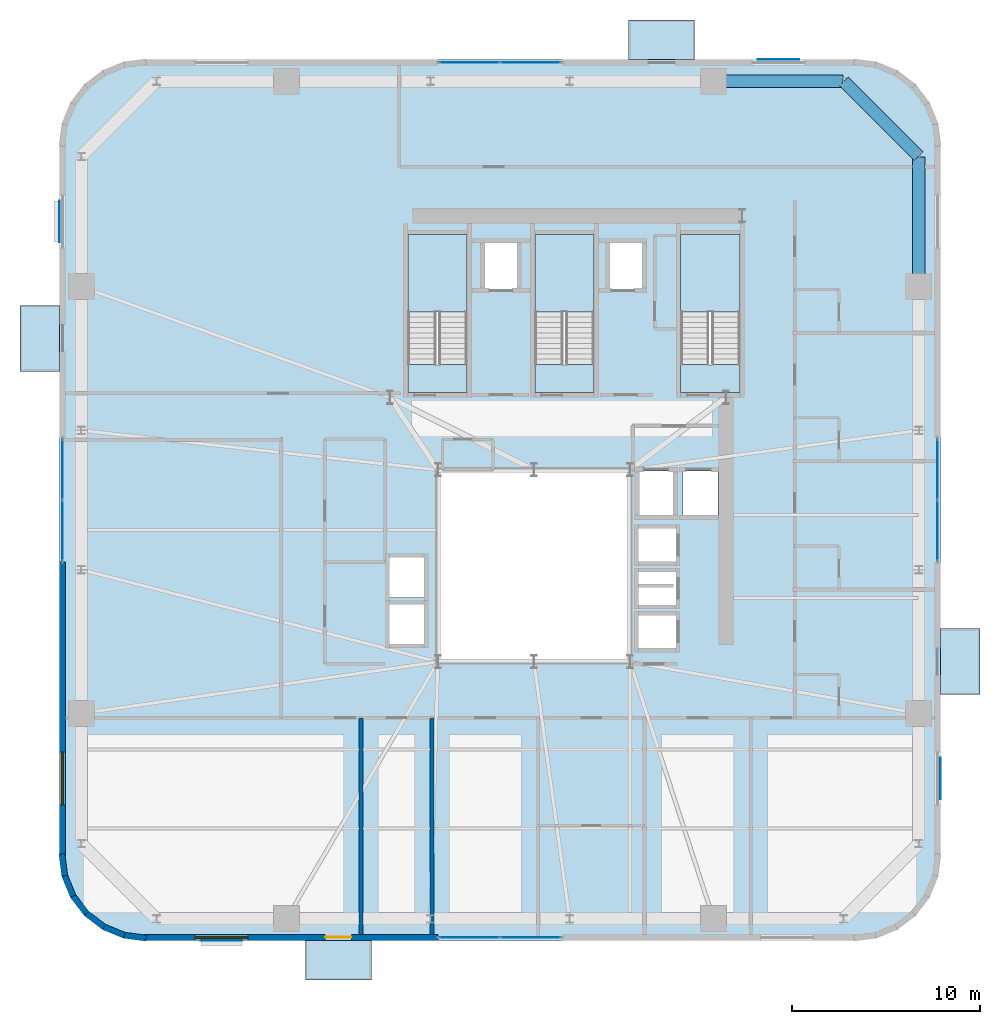
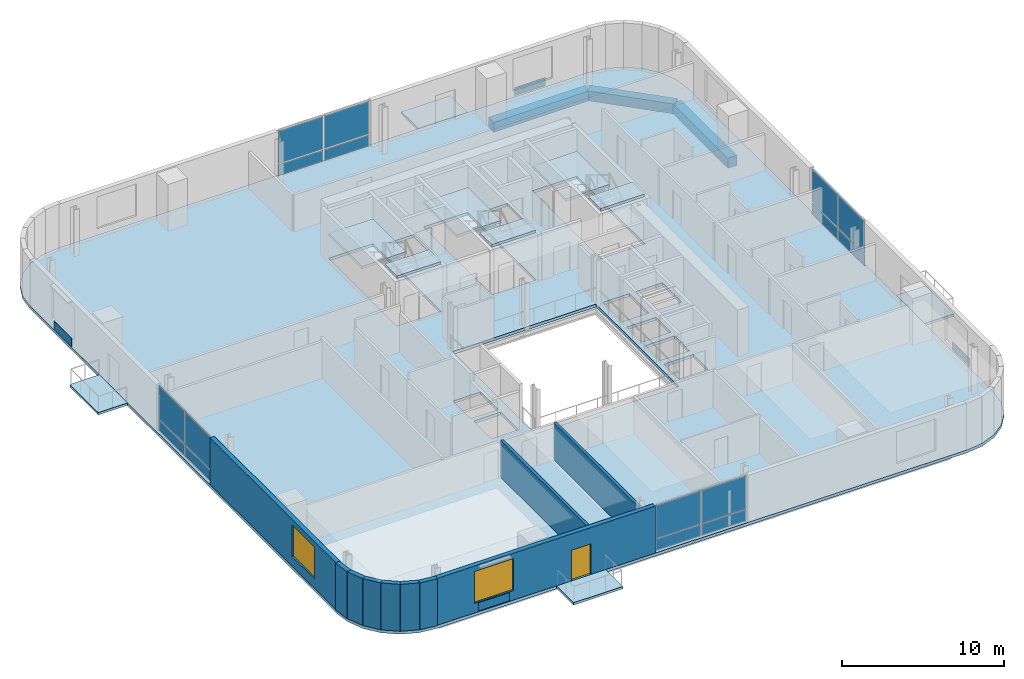
# One storey, part 7 of 16: 20 plates, 11 slabs, 10 walls, 3 beams, 2 windows, 1 door, 3 openings, 7 elements without a shape of their own.
"""IFC4 building model written with IfcOpenShell, lengths in metres."""

import ifcopenshell
import ifcopenshell.guid

model = None  # the IFC model being written
_history = None  # IfcOwnerHistory: only IFC2X3 demands one
_inside = {}  # id of a spatial element -> (the spatial element, [elements in it])
_under = {}  # id of a project, library or spatial element -> (it, [spatial elements below it])
_declared = {}  # id of a project -> (the project, [libraries it declares])
_typed = {}  # id of a type object -> (the type object, [elements of that type])
_made_of = {}  # id of a material, layer set ... -> (it, [elements and type objects made of it])


def new_model(schema):
    """Start an empty IFC model of exactly this schema.

    Asked for "IFC4X3", IfcOpenShell would pick the latest addendum, in which some entities
    have other attributes; the version numbers below select the first issue.
    IFC2X3 requires an IfcOwnerHistory on every rooted entity: one is made here for all.
    """
    global model, _history
    if schema == "IFC4X3":
        model = ifcopenshell.file(schema_version=(4, 3, 0, 0))
    else:
        model = ifcopenshell.file(schema=schema)
    _inside.clear()
    _under.clear()
    _declared.clear()
    _typed.clear()
    _made_of.clear()
    _history = None
    if model.schema == "IFC2X3":
        org = make("IfcOrganization", Name="unknown")
        user = make(
            "IfcPersonAndOrganization",
            ThePerson=make("IfcPerson", FamilyName="unknown"),
            TheOrganization=org,
        )
        app = make(
            "IfcApplication",
            ApplicationDeveloper=org,
            Version="unknown",
            ApplicationFullName="unknown",
            ApplicationIdentifier="unknown",
        )
        _history = make(
            "IfcOwnerHistory",
            OwningUser=user,
            OwningApplication=app,
            ChangeAction="ADDED",
            CreationDate=0,
        )
    return model


def make(cls, **values):
    """One entity of the class cls with the attributes given. An attribute that is None is left unset."""
    return model.create_entity(
        cls, **{name: value for name, value in values.items() if value is not None}
    )


def rooted(cls, **values):
    """An entity with a GlobalId (a new one), such as an element, a storey or a relation."""
    return make(cls, GlobalId=ifcopenshell.guid.new(), OwnerHistory=_history, **values)


def si_unit(unit_type, name, prefix=None):
    """IfcSIUnit, for example si_unit("LENGTHUNIT", "METRE", prefix="MILLI")."""
    return make("IfcSIUnit", UnitType=unit_type, Prefix=prefix, Name=name)


def assignment(units):
    """IfcUnitAssignment: the units of a project."""
    return None if units is None else make("IfcUnitAssignment", Units=units)


def point(xyz):
    """IfcCartesianPoint."""
    return None if xyz is None else make("IfcCartesianPoint", Coordinates=xyz)


def direction(xyz):
    """IfcDirection."""
    return None if xyz is None else make("IfcDirection", DirectionRatios=xyz)


def frame(location, z_axis=None, x_axis=None):
    """IfcAxis2Placement3D, a coordinate frame: its origin and axes. An axis left out is left unset."""
    return make(
        "IfcAxis2Placement3D",
        Location=point(location),
        Axis=direction(z_axis),
        RefDirection=direction(x_axis),
    )


def frame_2d(location, x_axis=None):
    """IfcAxis2Placement2D, a coordinate frame in the plane: its origin and x axis."""
    return make(
        "IfcAxis2Placement2D", Location=point(location), RefDirection=direction(x_axis)
    )


def origin():
    """The frame at (0, 0, 0) with its axes left unset."""
    return frame((0.0, 0.0, 0.0))


def origin_2d():
    """The frame at (0, 0) in the plane with its x axis left unset."""
    return frame_2d((0.0, 0.0))


def place(relative_to, where):
    """IfcLocalPlacement: puts the frame where relative to a parent placement (None: the world)."""
    return make(
        "IfcLocalPlacement", PlacementRelTo=relative_to, RelativePlacement=where
    )


def context(
    kind, dimensions, precision=None, world=None, true_north=None, identifier=None
):
    """IfcGeometricRepresentationContext, for example the 3D "Model" context."""
    return make(
        "IfcGeometricRepresentationContext",
        ContextIdentifier=identifier,
        ContextType=kind,
        CoordinateSpaceDimension=dimensions,
        Precision=precision,
        WorldCoordinateSystem=world,
        TrueNorth=true_north,
    )


def subcontext(parent, identifier, kind, view, scale=None):
    """IfcGeometricRepresentationSubContext, for example "Body" below "Model"."""
    return make(
        "IfcGeometricRepresentationSubContext",
        ContextIdentifier=identifier,
        ContextType=kind,
        ParentContext=parent,
        TargetScale=scale,
        TargetView=view,
    )


def project(units=None, contexts=None):
    """IfcProject with its units and contexts."""
    return rooted(
        "IfcProject",
        Name="project",
        RepresentationContexts=contexts,
        UnitsInContext=assignment(units),
    )


def spatial(cls, under=None, at=None, **own):
    """A site, building, storey or space (cls), placed at a placement, below another one or the project."""
    s = rooted(cls, ObjectPlacement=at, **own)
    if under is not None:
        _under.setdefault(under.id(), (under, []))[1].append(s)
    return s


def polyline(points):
    """IfcPolyline through the points."""
    return make("IfcPolyline", Points=[point(p) for p in points])


def profile(cls, at=None, kind="AREA", **sizes):
    """A parametric profile (cls). Its sizes go by their IFC names, for example OverallWidth=200.0."""
    return make(cls, ProfileType=kind, Position=at, **sizes)


def rectangle(**sizes):
    """IfcRectangleProfileDef."""
    return profile("IfcRectangleProfileDef", **sizes)


def outline(outer, holes=None, kind="AREA"):
    """IfcArbitraryClosedProfileDef: a profile drawn as a closed curve; with holes, ...WithVoids."""
    if holes is None:
        return make("IfcArbitraryClosedProfileDef", ProfileType=kind, OuterCurve=outer)
    return make(
        "IfcArbitraryProfileDefWithVoids",
        ProfileType=kind,
        OuterCurve=outer,
        InnerCurves=holes,
    )


def extrude(swept, where, along, depth):
    """IfcExtrudedAreaSolid: the profile swept, set in the frame where, extruded along a direction by depth."""
    return make(
        "IfcExtrudedAreaSolid",
        SweptArea=swept,
        Position=where,
        ExtrudedDirection=direction(along),
        Depth=depth,
    )


def shape(context_of_items, identifier, shape_type, items):
    """IfcShapeRepresentation: the items that make up one representation, for example the "Body"."""
    return make(
        "IfcShapeRepresentation",
        ContextOfItems=context_of_items,
        RepresentationIdentifier=identifier,
        RepresentationType=shape_type,
        Items=items,
    )


def source(mapping_origin, context_of_items, identifier, shape_type, items):
    """IfcRepresentationMap: a shape defined once, which mapped items show again and again."""
    return make(
        "IfcRepresentationMap",
        MappingOrigin=mapping_origin,
        MappedRepresentation=shape(context_of_items, identifier, shape_type, items),
    )


def transform(
    local_origin,
    x_axis=None,
    y_axis=None,
    z_axis=None,
    scale=None,
    scale2=None,
    scale3=None,
    uniform=True,
):
    """IfcCartesianTransformationOperator3D, or its non-uniform kind. x_axis, y_axis, z_axis: its Axis1, 2, 3."""
    if uniform:
        return make(
            "IfcCartesianTransformationOperator3D",
            Axis1=direction(x_axis),
            Axis2=direction(y_axis),
            LocalOrigin=point(local_origin),
            Scale=scale,
            Axis3=direction(z_axis),
        )
    return make(
        "IfcCartesianTransformationOperator3DnonUniform",
        Axis1=direction(x_axis),
        Axis2=direction(y_axis),
        LocalOrigin=point(local_origin),
        Scale=scale,
        Axis3=direction(z_axis),
        Scale2=scale2,
        Scale3=scale3,
    )


def mapped(mapping_source, mapping_target):
    """IfcMappedItem: shows the shape of a source again, moved by a transform."""
    return make(
        "IfcMappedItem", MappingSource=mapping_source, MappingTarget=mapping_target
    )


def material(Name=None, Category=None):
    """IfcMaterial."""
    return make("IfcMaterial", Name=Name, Category=Category)


def layer(
    of_material, thickness, ventilated=None, Name=None, Category=None, Priority=None
):
    """IfcMaterialLayer: one layer of a wall or slab, of a material (None: an air gap)."""
    return make(
        "IfcMaterialLayer",
        Material=of_material,
        LayerThickness=thickness,
        IsVentilated=ventilated,
        Name=Name,
        Category=Category,
        Priority=Priority,
    )


def layer_set(layers, Name=None):
    """IfcMaterialLayerSet."""
    return make("IfcMaterialLayerSet", MaterialLayers=layers, LayerSetName=Name)


def material_profile(
    of_material, cross_section, Name=None, Category=None, Priority=None
):
    """IfcMaterialProfile: a cross section and its material."""
    return make(
        "IfcMaterialProfile",
        Name=Name,
        Material=of_material,
        Profile=cross_section,
        Priority=Priority,
        Category=Category,
    )


def profile_set(profiles, Name=None, composite=None):
    """IfcMaterialProfileSet."""
    return make(
        "IfcMaterialProfileSet",
        Name=Name,
        MaterialProfiles=profiles,
        CompositeProfile=composite,
    )


def made_of(thing, what):
    """Note that an element or type object is made of a material, layer set ...; save() writes the relation."""
    if what is not None:
        _made_of.setdefault(what.id(), (what, []))[1].append(thing)
    return thing


def type_object(cls, material=None, **own):
    """A type object (cls), such as IfcWallType, which elements share."""
    return made_of(rooted(cls, **own), material)


def element(
    cls,
    number,
    at=None,
    inside=None,
    cuts=None,
    type_object=None,
    material=None,
    context=None,
    identifier="Body",
    shape_type=None,
    held_by="IfcProductDefinitionShape",
    body=None,
    shapes=None,
    **own,
):
    """One element of the class cls, such as IfcWall. Its Tag is "e" and its number.

    at: its placement. inside: the storey or other place that contains it. cuts: it is an
    opening in that element (IfcRelVoidsElement). A single representation is given by context,
    identifier, shape_type and body (its items); several are given by shapes. held_by: the class
    of the entity that holds the representations. save() writes the other relations.
    """
    e = rooted(cls, Tag="e%d" % number, ObjectPlacement=at, **own)
    if body is not None:
        shapes = [shape(context, identifier, shape_type, body)]
    if shapes is not None:
        e.Representation = make(held_by, Representations=shapes)
    if inside is not None:
        _inside.setdefault(inside.id(), (inside, []))[1].append(e)
    if cuts is not None:
        rooted(
            "IfcRelVoidsElement", RelatingBuildingElement=cuts, RelatedOpeningElement=e
        )
    if type_object is not None:
        _typed.setdefault(type_object.id(), (type_object, []))[1].append(e)
    return made_of(e, material)


def fill(opening, filler):
    """IfcRelFillsElement: the door or window that sits in an opening."""
    return rooted(
        "IfcRelFillsElement",
        RelatingOpeningElement=opening,
        RelatedBuildingElement=filler,
    )


def aggregate(whole, parts):
    """IfcRelAggregates: a whole, such as a stair, and the parts it consists of."""
    return rooted("IfcRelAggregates", RelatingObject=whole, RelatedObjects=parts)


def save(model, path):
    """Write the relations noted so far, then the file.

    IfcRelAggregates (storeys below a building ...), IfcRelContainedInSpatialStructure (elements
    in a storey), IfcRelDefinesByType, IfcRelAssociatesMaterial and IfcRelDeclares: one each for
    every whole, place, type object, material and project.
    """
    for whole, parts in _under.values():
        aggregate(whole, parts)
    for where, things in _inside.values():
        rooted(
            "IfcRelContainedInSpatialStructure",
            RelatedElements=things,
            RelatingStructure=where,
        )
    for kind, things in _typed.values():
        rooted("IfcRelDefinesByType", RelatedObjects=things, RelatingType=kind)
    for what, things in _made_of.values():
        rooted("IfcRelAssociatesMaterial", RelatedObjects=things, RelatingMaterial=what)
    for by, libraries in _declared.values():
        rooted("IfcRelDeclares", RelatingContext=by, RelatedDefinitions=libraries)
    model.write(path)


model = new_model("IFC4")

# Units and contexts
model_context = context("Model", 3, precision=1e-05, world=origin(), true_north=direction((0.0, 1.0)))
body_context = subcontext(model_context, "Body", "Model", "MODEL_VIEW")
ifc_project = project(units=[si_unit("LENGTHUNIT", "METRE"), si_unit("AREAUNIT", "SQUARE_METRE"), si_unit("VOLUMEUNIT", "CUBIC_METRE"), si_unit("PLANEANGLEUNIT", "RADIAN"), si_unit("MASSUNIT", "GRAM", prefix="KILO")], contexts=[model_context])

# Site, building, storey
site_placement = place(None, origin())
site = spatial("IfcSite", under=ifc_project, at=site_placement, CompositionType="ELEMENT")
building_placement = place(site_placement, origin())
building = spatial("IfcBuilding", under=site, at=building_placement, Name="Vardaveli Station Tower", CompositionType="ELEMENT")
storey_placement = place(building_placement, frame((0.0, 0.0, 226.050048828125)))
storey = spatial("IfcBuildingStorey", under=building, at=storey_placement, Name="L58", CompositionType="ELEMENT", Elevation=226.050048828125)

# Beams
ifc_material_1 = material(Name="Precast concrete C45/55", Category="concrete")
ifc_material_profile = material_profile(ifc_material_1, rectangle(XDim=0.64990234375, YDim=0.75, at=origin_2d()), Name="LPB 650x750")
ifc_profile_set = profile_set([ifc_material_profile], Name="Precast concrete C45/55")
beam_type = type_object("IfcBeamType", Name="BM-LPB-750", PredefinedType="BEAM", material=ifc_profile_set)
shared_shape_1 = source(origin(), body_context, "Body", "SweptSolid", [
    extrude(rectangle(XDim=0.64990234375, YDim=0.75, at=origin_2d()), origin(), (0.0, 0.0, 1.0), 6.869873046875),
])
for number, where, z_axis, x_axis, name in (
    (1, (56.75, 36.56005859375, -0.594970703125), (0.0, 1.0, 0.0), (-1.0, 0.0, 0.0), "RBM-L58-10"),
    (2, (52.72998046875, 47.449951171875, -0.594970703125), (-1.0, 0.0, 0.0), (0.0, -1.0, 0.0), "RBM-L58-12"),
):
    element("IfcBeam", number, at=place(storey_placement, frame(where, z_axis=z_axis, x_axis=x_axis)), inside=storey, type_object=beam_type, Name=name, PredefinedType="BEAM", context=body_context, shape_type="MappedRepresentation", body=[
        mapped(shared_shape_1, transform((0.0, 0.0, 0.0), scale=1.0)),
    ])
shared_shape_2 = source(origin(), body_context, "Body", "SweptSolid", [
    extrude(rectangle(XDim=0.64990234375, YDim=0.75, at=origin_2d()), origin(), (0.0, 0.0, 1.0), 5.61669921875),
])
beam_placement = place(storey_placement, frame((56.73583984375, 43.464111328125, -0.594970703125), z_axis=(-0.707106781187, 0.707106781187, 0.0), x_axis=(-0.707106781187, -0.707106781187, 0.0)))
element("IfcBeam", 3, at=beam_placement, inside=storey, type_object=beam_type, Name="RBM-L58-11", PredefinedType="BEAM", context=body_context, shape_type="MappedRepresentation", body=[
    mapped(shared_shape_2, transform((0.0, 0.0, 0.0), scale=1.0)),
])

# Stair, slabs
ifc_material_2 = material(Name="Concrete C40/50", Category="concrete")
stair_type = type_object("IfcStairType", Name="STR-CORE-1500", PredefinedType="HALF_TURN_STAIR", material=ifc_material_2)
stair_1_placement = place(storey_placement, origin())
stair_1 = element("IfcStair", 4, at=stair_1_placement, inside=storey, type_object=stair_type, Name="L58 ST-1", PredefinedType="HALF_TURN_STAIR")
ifc_layer_1 = layer(ifc_material_2, 0.199951171875, Name="Concrete C40/50")
ifc_layer_set_1 = layer_set([ifc_layer_1], Name="Concrete C40/50")
slab_type_1 = type_object("IfcSlabType", Name="SLB-LAND-200", PredefinedType="LANDING", material=ifc_layer_set_1)
slab_1_placement = place(storey_placement, frame((0.0, 0.0, 1.675048828125)))
slab_1 = element("IfcSlab", 5, at=slab_1_placement, type_object=slab_type_1, Name="ST-1 landing 1", PredefinedType="LANDING", context=body_context, shape_type="SweptSolid", body=[
    extrude(outline(polyline([(32.75, 35.199951171875), (32.75, 39.300048828125), (29.60009765625, 39.300048828125), (29.60009765625, 35.199951171875), (32.75, 35.199951171875)])), origin(), (0.0, 0.0, 1.0), 0.199951171875),
])
slab_2_placement = place(storey_placement, frame((0.0, 0.0, 3.550048828125)))
slab_2 = element("IfcSlab", 6, at=slab_2_placement, type_object=slab_type_1, Name="ST-1 landing 2", PredefinedType="LANDING", context=body_context, shape_type="SweptSolid", body=[
    extrude(outline(polyline([(32.75, 30.89990234375), (32.75, 32.39990234375), (29.60009765625, 32.39990234375), (29.60009765625, 30.89990234375), (32.75, 30.89990234375)])), origin(), (0.0, 0.0, 1.0), 0.199951171875),
])
aggregate(stair_1, [slab_1, slab_2])

stair_2_placement = place(storey_placement, origin())
stair_2 = element("IfcStair", 7, at=stair_2_placement, inside=storey, type_object=stair_type, Name="L58 ST-2", PredefinedType="HALF_TURN_STAIR")
slab_3_placement = place(storey_placement, frame((0.0, 0.0, 1.675048828125)))
slab_3 = element("IfcSlab", 8, at=slab_3_placement, type_object=slab_type_1, Name="ST-2 landing 1", PredefinedType="LANDING", context=body_context, shape_type="SweptSolid", body=[
    extrude(outline(polyline([(39.5, 35.199951171875), (39.5, 39.300048828125), (36.35009765625, 39.300048828125), (36.35009765625, 35.199951171875), (39.5, 35.199951171875)])), origin(), (0.0, 0.0, 1.0), 0.199951171875),
])
slab_4_placement = place(storey_placement, frame((0.0, 0.0, 3.550048828125)))
slab_4 = element("IfcSlab", 9, at=slab_4_placement, type_object=slab_type_1, Name="ST-2 landing 2", PredefinedType="LANDING", context=body_context, shape_type="SweptSolid", body=[
    extrude(outline(polyline([(39.5, 30.89990234375), (39.5, 32.39990234375), (36.35009765625, 32.39990234375), (36.35009765625, 30.89990234375), (39.5, 30.89990234375)])), origin(), (0.0, 0.0, 1.0), 0.199951171875),
])
aggregate(stair_2, [slab_3, slab_4])

stair_3_placement = place(storey_placement, origin())
stair_3 = element("IfcStair", 10, at=stair_3_placement, inside=storey, type_object=stair_type, Name="L58 ST-3", PredefinedType="HALF_TURN_STAIR")
slab_5_placement = place(storey_placement, frame((0.0, 0.0, 1.675048828125)))
slab_5 = element("IfcSlab", 11, at=slab_5_placement, type_object=slab_type_1, Name="ST-3 landing 1", PredefinedType="LANDING", context=body_context, shape_type="SweptSolid", body=[
    extrude(outline(polyline([(47.25, 35.199951171875), (47.25, 39.300048828125), (44.10009765625, 39.300048828125), (44.10009765625, 35.199951171875), (47.25, 35.199951171875)])), origin(), (0.0, 0.0, 1.0), 0.199951171875),
])
slab_6_placement = place(storey_placement, frame((0.0, 0.0, 3.550048828125)))
slab_6 = element("IfcSlab", 12, at=slab_6_placement, type_object=slab_type_1, Name="ST-3 landing 2", PredefinedType="LANDING", context=body_context, shape_type="SweptSolid", body=[
    extrude(outline(polyline([(47.25, 30.89990234375), (47.25, 32.39990234375), (44.10009765625, 32.39990234375), (44.10009765625, 30.89990234375), (47.25, 30.89990234375)])), origin(), (0.0, 0.0, 1.0), 0.199951171875),
])
aggregate(stair_3, [slab_5, slab_6])

# Slabs
ifc_layer_2 = layer(ifc_material_1, 0.179931640625, Name="Precast concrete C45/55")
ifc_layer_set_2 = layer_set([ifc_layer_2], Name="Precast concrete C45/55")
slab_type_2 = type_object("IfcSlabType", Name="SLB-LOGGIA-180", PredefinedType="FLOOR", material=ifc_layer_set_2)
slab_7_placement = place(storey_placement, frame((0.0, 0.0, -0.179931640625)))
element("IfcSlab", 13, at=slab_7_placement, inside=storey, type_object=slab_type_2, Name="LOG-L58-S", PredefinedType="FLOOR", context=body_context, shape_type="SweptSolid", body=[
    extrude(outline(polyline([(24.160400390625, -0.300048828125), (27.660400390625, -0.300048828125), (27.660400390625, 1.800048828125), (24.160400390625, 1.800048828125), (24.160400390625, -0.300048828125)])), origin(), (0.0, 0.0, 1.0), 0.179931640625),
])
slab_8_placement = place(storey_placement, frame((0.0, 0.0, -0.179931640625)))
element("IfcSlab", 14, at=slab_8_placement, inside=storey, type_object=slab_type_2, Name="LOG-L58-N", PredefinedType="FLOOR", context=body_context, shape_type="SweptSolid", body=[
    extrude(outline(polyline([(41.339599609375, 48.60009765625), (44.839599609375, 48.60009765625), (44.839599609375, 50.699951171875), (41.339599609375, 50.699951171875), (41.339599609375, 48.60009765625)])), origin(), (0.0, 0.0, 1.0), 0.179931640625),
])
slab_9_placement = place(storey_placement, frame((0.0, 0.0, -0.179931640625)))
element("IfcSlab", 15, at=slab_9_placement, inside=storey, type_object=slab_type_2, Name="LOG-L58-W", PredefinedType="FLOOR", context=body_context, shape_type="SweptSolid", body=[
    extrude(outline(polyline([(9.0, 32.03955078125), (11.10009765625, 32.03955078125), (11.10009765625, 35.53955078125), (9.0, 35.53955078125), (9.0, 32.03955078125)])), origin(), (0.0, 0.0, 1.0), 0.179931640625),
])
slab_10_placement = place(storey_placement, frame((0.0, 0.0, -0.179931640625)))
element("IfcSlab", 16, at=slab_10_placement, inside=storey, type_object=slab_type_2, Name="LOG-L58-E", PredefinedType="FLOOR", context=body_context, shape_type="SweptSolid", body=[
    extrude(outline(polyline([(57.89990234375, 14.8603515625), (60.0, 14.8603515625), (60.0, 18.3603515625), (57.89990234375, 18.3603515625), (57.89990234375, 14.8603515625)])), origin(), (0.0, 0.0, 1.0), 0.179931640625),
])
ifc_layer_3 = layer(ifc_material_2, 0.219970703125, Name="Concrete C40/50")
ifc_layer_set_3 = layer_set([ifc_layer_3], Name="Concrete C40/50")
slab_type_3 = type_object("IfcSlabType", Name="SLB-TOW-220", PredefinedType="FLOOR", material=ifc_layer_set_3)
slab_11_placement = place(storey_placement, frame((0.0, 0.0, -0.219970703125)))
element("IfcSlab", 17, at=slab_11_placement, inside=storey, type_object=slab_type_3, Name="SLB-L58-MAIN", PredefinedType="FLOOR", context=body_context, shape_type="SweptSolid", body=[
    extrude(outline(polyline([(11.10009765625, 6.300048828125), (11.25341796875, 5.13525390625), (11.702880859375, 4.050048828125), (12.41796875, 3.117919921875), (13.35009765625, 2.40283203125), (14.435302734375, 1.953369140625), (15.60009765625, 1.800048828125), (53.39990234375, 1.800048828125), (54.564697265625, 1.953369140625), (55.64990234375, 2.40283203125), (56.58203125, 3.117919921875), (57.297119140625, 4.050048828125), (57.74658203125, 5.13525390625), (57.89990234375, 6.300048828125), (57.89990234375, 44.10009765625), (57.74658203125, 45.2646484375), (57.297119140625, 46.35009765625), (56.58203125, 47.281982421875), (55.64990234375, 47.9970703125), (54.564697265625, 48.44677734375), (53.39990234375, 48.60009765625), (15.60009765625, 48.60009765625), (14.435302734375, 48.44677734375), (13.35009765625, 47.9970703125), (12.41796875, 47.281982421875), (11.702880859375, 46.35009765625), (11.25341796875, 45.2646484375), (11.10009765625, 44.10009765625), (11.10009765625, 6.300048828125)]), holes=[polyline([(31.199951171875, 16.60009765625), (41.39990234375, 16.60009765625), (41.39990234375, 26.800048828125), (31.199951171875, 26.800048828125), (31.199951171875, 16.60009765625)]), polyline([(32.75, 30.89990234375), (32.75, 39.300048828125), (29.60009765625, 39.300048828125), (29.60009765625, 30.89990234375), (32.75, 30.89990234375)]), polyline([(39.5, 30.89990234375), (39.5, 39.300048828125), (36.35009765625, 39.300048828125), (36.35009765625, 30.89990234375), (39.5, 30.89990234375)]), polyline([(47.25, 30.89990234375), (47.25, 39.300048828125), (44.10009765625, 39.300048828125), (44.10009765625, 30.89990234375), (47.25, 30.89990234375)]), polyline([(33.659912109375, 36.409912109375), (35.43994140625, 36.409912109375), (35.43994140625, 38.889892578125), (33.659912109375, 38.889892578125), (33.659912109375, 36.409912109375)]), polyline([(40.31005859375, 36.409912109375), (42.090087890625, 36.409912109375), (42.090087890625, 38.889892578125), (40.31005859375, 38.889892578125), (40.31005859375, 36.409912109375)]), polyline([(41.81005859375, 21.885009765625), (43.889892578125, 21.885009765625), (43.889892578125, 23.715087890625), (41.81005859375, 23.715087890625), (41.81005859375, 21.885009765625)]), polyline([(41.81005859375, 19.5849609375), (43.889892578125, 19.5849609375), (43.889892578125, 21.4150390625), (41.81005859375, 21.4150390625), (41.81005859375, 19.5849609375)]), polyline([(41.81005859375, 17.284912109375), (43.889892578125, 17.284912109375), (43.889892578125, 19.114990234375), (41.81005859375, 19.114990234375), (41.81005859375, 17.284912109375)]), polyline([(28.5849609375, 17.510009765625), (30.514892578125, 17.510009765625), (30.514892578125, 19.68994140625), (28.5849609375, 19.68994140625), (28.5849609375, 17.510009765625)]), polyline([(28.5849609375, 20.010009765625), (30.514892578125, 20.010009765625), (30.514892578125, 22.18994140625), (28.5849609375, 22.18994140625), (28.5849609375, 20.010009765625)]), polyline([(41.860107421875, 24.360107421875), (43.739990234375, 24.360107421875), (43.739990234375, 26.739990234375), (41.860107421875, 26.739990234375), (41.860107421875, 24.360107421875)]), polyline([(44.2099609375, 24.360107421875), (46.090087890625, 24.360107421875), (46.090087890625, 26.739990234375), (44.2099609375, 26.739990234375), (44.2099609375, 24.360107421875)])]), origin(), (0.0, 0.0, 1.0), 0.219970703125),
])

# Plates
ifc_material_3 = material(Name="Honed Caucasian travertine stone", Category="masonry")
ifc_layer_4 = layer(ifc_material_3, 0.034912109375, Name="Honed Caucasian travertine stone")
ifc_layer_set_4 = layer_set([ifc_layer_4], Name="Honed Caucasian travertine stone")
plate_type_1 = type_object("IfcPlateType", Name="PLT-TRAV-35", PredefinedType="SHEET", material=ifc_layer_set_4)
shared_shape_3 = source(origin(), body_context, "Body", "SweptSolid", [
    extrude(rectangle(XDim=2.199951171875, YDim=0.034912109375, at=origin_2d()), origin(), (0.0, 0.0, 1.0), 0.6201171875),
])
for number, where, z_axis, x_axis, name in (
    (18, (19.705078125, 1.79052734375, 0.06982421875), (0.0, 0.0, 1.0), (1.0, 0.0, 0.0), "PLT-TR-L58-S"),
    (19, (49.294921875, 48.609619140625, 0.06982421875), (0.0, 0.0, 1.0), (1.0, 0.0, 0.0), "PLT-TR-L58-N"),
    (20, (11.090576171875, 39.9951171875, 0.06982421875), (0.0, 0.0, 1.0), (0.0, 1.0, 0.0), "PLT-TR-L58-W"),
    (21, (57.909423828125, 10.405029296875, 0.06982421875), (0.0, 0.0, 1.0), (0.0, 1.0, 0.0), "PLT-TR-L58-E"),
):
    element("IfcPlate", number, at=place(storey_placement, frame(where, z_axis=z_axis, x_axis=x_axis)), inside=storey, type_object=plate_type_1, Name=name, PredefinedType="SHEET", context=body_context, shape_type="MappedRepresentation", body=[
        mapped(shared_shape_3, transform((0.0, 0.0, 0.0), scale=1.0)),
    ])

# Curtain wall, plates
ifc_material_4 = material(Name="Travertine stone and solar-control glass", Category="masonry")
curtain_wall_type = type_object("IfcCurtainWallType", Name="CW-SYS-5", PredefinedType="NOTDEFINED", material=ifc_material_4)
curtain_wall_1_placement = place(storey_placement, origin())
curtain_wall_1 = element("IfcCurtainWall", 22, at=curtain_wall_1_placement, inside=storey, type_object=curtain_wall_type, Name="CW-L58-S", PredefinedType="NOTDEFINED")
ifc_material_5 = material(Name="Double-glazed low-E solar-control glass", Category="glass")
ifc_layer_5 = layer(ifc_material_5, 0.031982421875, Name="Double-glazed low-E solar-control glass")
ifc_layer_set_5 = layer_set([ifc_layer_5], Name="Double-glazed low-E solar-control glass")
plate_type_2 = type_object("IfcPlateType", Name="CW-SYS-5-PAN", PredefinedType="CURTAIN_PANEL", material=ifc_layer_set_5)
shared_shape_4 = source(origin(), body_context, "Body", "SweptSolid", [
    extrude(rectangle(XDim=3.179931640625, YDim=0.031982421875, at=origin_2d()), origin(), (0.0, 0.0, 1.0), 0.830078125),
])
plate_1_placement = place(storey_placement, frame((32.8701171875, 1.9599609375, 0.079833984375), z_axis=(0.0, 0.0, 1.0), x_axis=(1.0, 0.0, 0.0)))
plate_1 = element("IfcPlate", 23, at=plate_1_placement, type_object=plate_type_2, Name="CW-5 panel 1.1", PredefinedType="CURTAIN_PANEL", context=body_context, shape_type="MappedRepresentation", body=[
    mapped(shared_shape_4, transform((0.0, 0.0, 0.0), scale=1.0)),
])
plate_2_placement = place(storey_placement, frame((36.1298828125, 1.9599609375, 0.079833984375), z_axis=(0.0, 0.0, 1.0), x_axis=(1.0, 0.0, 0.0)))
plate_2 = element("IfcPlate", 24, at=plate_2_placement, type_object=plate_type_2, Name="CW-5 panel 2.1", PredefinedType="CURTAIN_PANEL", context=body_context, shape_type="MappedRepresentation", body=[
    mapped(shared_shape_4, transform((0.0, 0.0, 0.0), scale=1.0)),
])

curtain_wall_2_placement = place(storey_placement, origin())
curtain_wall_2 = element("IfcCurtainWall", 25, at=curtain_wall_2_placement, inside=storey, type_object=curtain_wall_type, Name="CW-L58-N", PredefinedType="NOTDEFINED")
plate_3_placement = place(storey_placement, frame((36.1298828125, 48.43994140625, 0.079833984375), z_axis=(0.0, 0.0, 1.0), x_axis=(-1.0, 0.0, 0.0)))
plate_3 = element("IfcPlate", 26, at=plate_3_placement, type_object=plate_type_2, Name="CW-5 panel 1.1", PredefinedType="CURTAIN_PANEL", context=body_context, shape_type="MappedRepresentation", body=[
    mapped(shared_shape_4, transform((0.0, 0.0, 0.0), scale=1.0)),
])
plate_4_placement = place(storey_placement, frame((32.8701171875, 48.43994140625, 0.079833984375), z_axis=(0.0, 0.0, 1.0), x_axis=(-1.0, 0.0, 0.0)))
plate_4 = element("IfcPlate", 27, at=plate_4_placement, type_object=plate_type_2, Name="CW-5 panel 2.1", PredefinedType="CURTAIN_PANEL", context=body_context, shape_type="MappedRepresentation", body=[
    mapped(shared_shape_4, transform((0.0, 0.0, 0.0), scale=1.0)),
])

curtain_wall_3_placement = place(storey_placement, origin())
curtain_wall_3 = element("IfcCurtainWall", 28, at=curtain_wall_3_placement, inside=storey, type_object=curtain_wall_type, Name="CW-L58-W", PredefinedType="NOTDEFINED")
plate_5_placement = place(storey_placement, frame((11.260009765625, 26.830078125, 0.079833984375), z_axis=(0.0, 0.0, 1.0), x_axis=(0.0, -1.0, 0.0)))
plate_5 = element("IfcPlate", 29, at=plate_5_placement, type_object=plate_type_2, Name="CW-5 panel 1.1", PredefinedType="CURTAIN_PANEL", context=body_context, shape_type="MappedRepresentation", body=[
    mapped(shared_shape_4, transform((0.0, 0.0, 0.0), scale=1.0)),
])
plate_6_placement = place(storey_placement, frame((11.260009765625, 23.570068359375, 0.079833984375), z_axis=(0.0, 0.0, 1.0), x_axis=(0.0, -1.0, 0.0)))
plate_6 = element("IfcPlate", 30, at=plate_6_placement, type_object=plate_type_2, Name="CW-5 panel 2.1", PredefinedType="CURTAIN_PANEL", context=body_context, shape_type="MappedRepresentation", body=[
    mapped(shared_shape_4, transform((0.0, 0.0, 0.0), scale=1.0)),
])

curtain_wall_4_placement = place(storey_placement, origin())
curtain_wall_4 = element("IfcCurtainWall", 31, at=curtain_wall_4_placement, inside=storey, type_object=curtain_wall_type, Name="CW-L58-E", PredefinedType="NOTDEFINED")
plate_7_placement = place(storey_placement, frame((57.739990234375, 23.570068359375, 0.079833984375), z_axis=(0.0, 0.0, 1.0), x_axis=(0.0, 1.0, 0.0)))
plate_7 = element("IfcPlate", 32, at=plate_7_placement, type_object=plate_type_2, Name="CW-5 panel 1.1", PredefinedType="CURTAIN_PANEL", context=body_context, shape_type="MappedRepresentation", body=[
    mapped(shared_shape_4, transform((0.0, 0.0, 0.0), scale=1.0)),
])
plate_8_placement = place(storey_placement, frame((57.739990234375, 26.830078125, 0.079833984375), z_axis=(0.0, 0.0, 1.0), x_axis=(0.0, 1.0, 0.0)))
plate_8 = element("IfcPlate", 33, at=plate_8_placement, type_object=plate_type_2, Name="CW-5 panel 2.1", PredefinedType="CURTAIN_PANEL", context=body_context, shape_type="MappedRepresentation", body=[
    mapped(shared_shape_4, transform((0.0, 0.0, 0.0), scale=1.0)),
])

# Plate
shared_shape_5 = source(origin(), body_context, "Body", "SweptSolid", [
    extrude(rectangle(XDim=3.179931640625, YDim=0.031982421875, at=origin_2d()), origin(), (0.0, 0.0, 1.0), 2.4599609375),
])
plate_9_placement = place(storey_placement, frame((32.8701171875, 1.9599609375, 0.989990234375), z_axis=(0.0, 0.0, 1.0), x_axis=(1.0, 0.0, 0.0)))
plate_9 = element("IfcPlate", 34, at=plate_9_placement, type_object=plate_type_2, Name="CW-5 panel 1.2", PredefinedType="CURTAIN_PANEL", context=body_context, shape_type="MappedRepresentation", body=[
    mapped(shared_shape_5, transform((0.0, 0.0, 0.0), scale=1.0)),
])

plate_10_placement = place(storey_placement, frame((36.1298828125, 1.9599609375, 0.989990234375), z_axis=(0.0, 0.0, 1.0), x_axis=(1.0, 0.0, 0.0)))
plate_10 = element("IfcPlate", 35, at=plate_10_placement, type_object=plate_type_2, Name="CW-5 panel 2.2", PredefinedType="CURTAIN_PANEL", context=body_context, shape_type="MappedRepresentation", body=[
    mapped(shared_shape_5, transform((0.0, 0.0, 0.0), scale=1.0)),
])

aggregate(curtain_wall_1, [plate_1, plate_9, plate_2, plate_10])

plate_11_placement = place(storey_placement, frame((36.1298828125, 48.43994140625, 0.989990234375), z_axis=(0.0, 0.0, 1.0), x_axis=(-1.0, 0.0, 0.0)))
plate_11 = element("IfcPlate", 36, at=plate_11_placement, type_object=plate_type_2, Name="CW-5 panel 1.2", PredefinedType="CURTAIN_PANEL", context=body_context, shape_type="MappedRepresentation", body=[
    mapped(shared_shape_5, transform((0.0, 0.0, 0.0), scale=1.0)),
])

plate_12_placement = place(storey_placement, frame((32.8701171875, 48.43994140625, 0.989990234375), z_axis=(0.0, 0.0, 1.0), x_axis=(-1.0, 0.0, 0.0)))
plate_12 = element("IfcPlate", 37, at=plate_12_placement, type_object=plate_type_2, Name="CW-5 panel 2.2", PredefinedType="CURTAIN_PANEL", context=body_context, shape_type="MappedRepresentation", body=[
    mapped(shared_shape_5, transform((0.0, 0.0, 0.0), scale=1.0)),
])

aggregate(curtain_wall_2, [plate_3, plate_11, plate_4, plate_12])

plate_13_placement = place(storey_placement, frame((11.260009765625, 26.830078125, 0.989990234375), z_axis=(0.0, 0.0, 1.0), x_axis=(0.0, -1.0, 0.0)))
plate_13 = element("IfcPlate", 38, at=plate_13_placement, type_object=plate_type_2, Name="CW-5 panel 1.2", PredefinedType="CURTAIN_PANEL", context=body_context, shape_type="MappedRepresentation", body=[
    mapped(shared_shape_5, transform((0.0, 0.0, 0.0), scale=1.0)),
])

plate_14_placement = place(storey_placement, frame((11.260009765625, 23.570068359375, 0.989990234375), z_axis=(0.0, 0.0, 1.0), x_axis=(0.0, -1.0, 0.0)))
plate_14 = element("IfcPlate", 39, at=plate_14_placement, type_object=plate_type_2, Name="CW-5 panel 2.2", PredefinedType="CURTAIN_PANEL", context=body_context, shape_type="MappedRepresentation", body=[
    mapped(shared_shape_5, transform((0.0, 0.0, 0.0), scale=1.0)),
])

aggregate(curtain_wall_3, [plate_5, plate_13, plate_6, plate_14])

plate_15_placement = place(storey_placement, frame((57.739990234375, 23.570068359375, 0.989990234375), z_axis=(0.0, 0.0, 1.0), x_axis=(0.0, 1.0, 0.0)))
plate_15 = element("IfcPlate", 40, at=plate_15_placement, type_object=plate_type_2, Name="CW-5 panel 1.2", PredefinedType="CURTAIN_PANEL", context=body_context, shape_type="MappedRepresentation", body=[
    mapped(shared_shape_5, transform((0.0, 0.0, 0.0), scale=1.0)),
])

plate_16_placement = place(storey_placement, frame((57.739990234375, 26.830078125, 0.989990234375), z_axis=(0.0, 0.0, 1.0), x_axis=(0.0, 1.0, 0.0)))
plate_16 = element("IfcPlate", 41, at=plate_16_placement, type_object=plate_type_2, Name="CW-5 panel 2.2", PredefinedType="CURTAIN_PANEL", context=body_context, shape_type="MappedRepresentation", body=[
    mapped(shared_shape_5, transform((0.0, 0.0, 0.0), scale=1.0)),
])

aggregate(curtain_wall_4, [plate_7, plate_15, plate_8, plate_16])

# Wall, openings, door, window
ifc_layer_6 = layer(ifc_material_1, 0.320068359375, Name="Precast concrete C45/55")
ifc_layer_set_6 = layer_set([ifc_layer_6], Name="Precast concrete C45/55")
wall_type_1 = type_object("IfcWallType", Name="WAL-EXT-STONE-320", PredefinedType="SOLIDWALL", material=ifc_layer_set_6)
shared_shape_6 = source(origin(), body_context, "Body", "SweptSolid", [
    extrude(rectangle(XDim=15.599853515625, YDim=0.320068359375, at=frame_2d((7.7998046875, 0.0))), origin(), (0.0, 0.0, 1.0), 3.530029296875),
])
wall_1_placement = place(storey_placement, frame((15.60009765625, 1.9599609375, 0.0), z_axis=(0.0, 0.0, 1.0), x_axis=(1.0, 0.0, 0.0)))
wall_1 = element("IfcWall", 42, at=wall_1_placement, inside=storey, type_object=wall_type_1, Name="EW-L58-S1", PredefinedType="SOLIDWALL", context=body_context, shape_type="MappedRepresentation", body=[
    mapped(shared_shape_6, transform((0.0, 0.0, 0.0), scale=1.0)),
])
shared_shape_7 = source(origin(), body_context, "Body", "SweptSolid", [
    extrude(rectangle(XDim=1.39990234375, YDim=2.300048828125, at=frame_2d((0.699951171875, 1.14990234375))), frame((0.0, 0.169921875, 0.0), z_axis=(0.0, -1.0, 0.0), x_axis=(1.0, 0.0, 0.0)), (0.0, 0.0, 1.0), 0.340087890625),
])
opening_1_placement = place(wall_1_placement, frame((9.6103515625, 0.0, 0.0)))
opening_1 = element("IfcOpeningElement", 43, at=opening_1_placement, cuts=wall_1, Name="Opening D-09", PredefinedType="OPENING", context=body_context, shape_type="MappedRepresentation", body=[
    mapped(shared_shape_7, transform((0.0, 0.0, 0.0), scale=1.0)),
])
shared_shape_8 = source(origin(), body_context, "Body", "SweptSolid", [
    extrude(rectangle(XDim=2.800048828125, YDim=2.39990234375, at=frame_2d((1.39990234375, 1.199951171875))), frame((0.0, 0.169921875, 0.0), z_axis=(0.0, -1.0, 0.0), x_axis=(1.0, 0.0, 0.0)), (0.0, 0.0, 1.0), 0.340087890625),
])
opening_2_placement = place(wall_1_placement, frame((2.705078125, 0.0, 0.719970703125)))
opening_2 = element("IfcOpeningElement", 44, at=opening_2_placement, cuts=wall_1, Name="Opening W-04", PredefinedType="OPENING", context=body_context, shape_type="MappedRepresentation", body=[
    mapped(shared_shape_8, transform((0.0, 0.0, 0.0), scale=1.0)),
])
ifc_material_6 = material(Name="Thermally broken aluminium glass", Category="aluminium")
door_type = type_object("IfcDoorType", Name="DR-LOG-1400x2300", OperationType="DOUBLE_DOOR_SLIDING", PredefinedType="DOOR", material=ifc_material_6)
shared_shape_9 = source(origin(), body_context, "Body", "SweptSolid", [
    extrude(rectangle(XDim=1.39990234375, YDim=2.300048828125, at=frame_2d((0.699951171875, 1.14990234375))), frame((0.0, 0.02490234375, 0.0), z_axis=(0.0, -1.0, 0.0), x_axis=(1.0, 0.0, 0.0)), (0.0, 0.0, 1.0), 0.050048828125),
])
door_placement = place(opening_1_placement, frame((1.39990234375, 0.0, 0.0), z_axis=(0.0, 0.0, 1.0), x_axis=(-1.0, 0.0, 0.0)))
door = element("IfcDoor", 45, at=door_placement, inside=storey, type_object=door_type, Name="DLG-L58-S", OperationType="DOUBLE_DOOR_SLIDING", OverallHeight=2.300048828125, OverallWidth=1.39990234375, PredefinedType="DOOR", context=body_context, shape_type="MappedRepresentation", body=[
    mapped(shared_shape_9, transform((0.0, 0.0, 0.0), scale=1.0)),
])
fill(opening_1, door)
ifc_material_7 = material(Name="Low-E solar-control glass", Category="glass")
window_type = type_object("IfcWindowType", Name="WIN-SUITE-2800x2400", PartitioningType="SINGLE_PANEL", PredefinedType="WINDOW", material=ifc_material_7)
shared_shape_10 = source(origin(), body_context, "Body", "SweptSolid", [
    extrude(rectangle(XDim=2.800048828125, YDim=2.39990234375, at=frame_2d((1.39990234375, 1.199951171875))), frame((0.0, 0.030029296875, 0.0), z_axis=(0.0, -1.0, 0.0), x_axis=(1.0, 0.0, 0.0)), (0.0, 0.0, 1.0), 0.06005859375),
])
window_1_placement = place(opening_2_placement, origin())
window_1 = element("IfcWindow", 46, at=window_1_placement, inside=storey, type_object=window_type, Name="WN-L58-S1", OverallHeight=2.39990234375, OverallWidth=2.800048828125, PartitioningType="SINGLE_PANEL", PredefinedType="WINDOW", context=body_context, shape_type="MappedRepresentation", body=[
    mapped(shared_shape_10, transform((0.0, 0.0, 0.0), scale=1.0)),
])
fill(opening_2, window_1)

# Wall, opening, window
wall_2_placement = place(storey_placement, frame((11.260009765625, 21.89990234375, 0.0), z_axis=(0.0, 0.0, 1.0), x_axis=(0.0, -1.0, 0.0)))
wall_2 = element("IfcWall", 47, at=wall_2_placement, inside=storey, type_object=wall_type_1, Name="EW-L58-W2", PredefinedType="SOLIDWALL", context=body_context, shape_type="MappedRepresentation", body=[
    mapped(shared_shape_6, transform((0.0, 0.0, 0.0), scale=1.0)),
])
opening_3_placement = place(wall_2_placement, frame((10.094970703125, 0.0, 0.719970703125)))
opening_3 = element("IfcOpeningElement", 48, at=opening_3_placement, cuts=wall_2, Name="Opening W-04", PredefinedType="OPENING", context=body_context, shape_type="MappedRepresentation", body=[
    mapped(shared_shape_8, transform((0.0, 0.0, 0.0), scale=1.0)),
])
window_2_placement = place(opening_3_placement, origin())
window_2 = element("IfcWindow", 49, at=window_2_placement, inside=storey, type_object=window_type, Name="WN-L58-W2", OverallHeight=2.39990234375, OverallWidth=2.800048828125, PartitioningType="SINGLE_PANEL", PredefinedType="WINDOW", context=body_context, shape_type="MappedRepresentation", body=[
    mapped(shared_shape_10, transform((0.0, 0.0, 0.0), scale=1.0)),
])
fill(opening_3, window_2)

# Walls
shared_shape_11 = source(origin(), body_context, "Body", "SweptSolid", [
    extrude(rectangle(XDim=1.170654296875, YDim=0.320068359375, at=frame_2d((0.58544921875, 0.0))), origin(), (0.0, 0.0, 1.0), 3.530029296875),
])
wall_3_placement = place(storey_placement, frame((11.224365234375, 6.400634765625, 0.0), z_axis=(0.0, 0.0, 1.0), x_axis=(0.128269133229, -0.991739395941, 0.0)))
element("IfcWall", 50, at=wall_3_placement, inside=storey, type_object=wall_type_1, Name="EW-L58-CR1-1", PredefinedType="SOLIDWALL", context=body_context, shape_type="MappedRepresentation", body=[
    mapped(shared_shape_11, transform((0.0, 0.0, 0.0), scale=1.0)),
])
shared_shape_12 = source(origin(), body_context, "Body", "SweptSolid", [
    extrude(rectangle(XDim=1.1689453125, YDim=0.320068359375, at=frame_2d((0.58447265625, 0.0))), origin(), (0.0, 0.0, 1.0), 3.530029296875),
])
for number, where, z_axis, x_axis, name in (
    (51, (11.37451171875, 5.23974609375, 0.0), (0.0, 0.0, 1.0), (0.381127904695, -0.924522320046, 0.0), "EW-L58-CR1-2"),
    (52, (11.820068359375, 4.158935546875, 0.0), (0.0, 0.0, 1.0), (0.608387696831, -0.793639975269, 0.0), "EW-L58-CR1-3"),
):
    element("IfcWall", number, at=place(storey_placement, frame(where, z_axis=z_axis, x_axis=x_axis)), inside=storey, type_object=wall_type_1, Name=name, PredefinedType="SOLIDWALL", context=body_context, shape_type="MappedRepresentation", body=[
        mapped(shared_shape_12, transform((0.0, 0.0, 0.0), scale=1.0)),
    ])
shared_shape_13 = source(origin(), body_context, "Body", "SweptSolid", [
    extrude(rectangle(XDim=1.168701171875, YDim=0.320068359375, at=frame_2d((0.58447265625, 0.0))), origin(), (0.0, 0.0, 1.0), 3.530029296875),
])
wall_4_placement = place(storey_placement, frame((12.53125, 3.231201171875, 0.0), z_axis=(0.0, 0.0, 1.0), x_axis=(0.793663520347, -0.608356981114, 0.0)))
element("IfcWall", 53, at=wall_4_placement, inside=storey, type_object=wall_type_1, Name="EW-L58-CR1-4", PredefinedType="SOLIDWALL", context=body_context, shape_type="MappedRepresentation", body=[
    mapped(shared_shape_13, transform((0.0, 0.0, 0.0), scale=1.0)),
])
shared_shape_14 = source(origin(), body_context, "Body", "SweptSolid", [
    extrude(rectangle(XDim=1.16943359375, YDim=0.320068359375, at=frame_2d((0.584716796875, 0.0))), origin(), (0.0, 0.0, 1.0), 3.530029296875),
])
wall_5_placement = place(storey_placement, frame((13.458740234375, 2.520263671875, 0.0), z_axis=(0.0, 0.0, 1.0), x_axis=(0.924479075121, -0.381232789334, 0.0)))
element("IfcWall", 54, at=wall_5_placement, inside=storey, type_object=wall_type_1, Name="EW-L58-CR1-5", PredefinedType="SOLIDWALL", context=body_context, shape_type="MappedRepresentation", body=[
    mapped(shared_shape_14, transform((0.0, 0.0, 0.0), scale=1.0)),
])
shared_shape_15 = source(origin(), body_context, "Body", "SweptSolid", [
    extrude(rectangle(XDim=1.170166015625, YDim=0.320068359375, at=frame_2d((0.5849609375, 0.0))), origin(), (0.0, 0.0, 1.0), 3.530029296875),
])
wall_6_placement = place(storey_placement, frame((14.539794921875, 2.074462890625, 0.0), z_axis=(0.0, 0.0, 1.0), x_axis=(0.991762485493, -0.128090485085, 0.0)))
element("IfcWall", 55, at=wall_6_placement, inside=storey, type_object=wall_type_1, Name="EW-L58-CR1-6", PredefinedType="SOLIDWALL", context=body_context, shape_type="MappedRepresentation", body=[
    mapped(shared_shape_15, transform((0.0, 0.0, 0.0), scale=1.0)),
])
ifc_material_8 = material(Name="Acoustic twin-stud gypsum partition")
ifc_layer_7 = layer(ifc_material_8, 0.199951171875, Name="Acoustic twin-stud gypsum partition")
ifc_layer_set_7 = layer_set([ifc_layer_7], Name="Acoustic twin-stud gypsum partition")
wall_type_2 = type_object("IfcWallType", Name="WAL-PARTY-200", PredefinedType="PARTITIONING", material=ifc_layer_set_7)
shared_shape_16 = source(origin(), body_context, "Body", "SweptSolid", [
    extrude(rectangle(XDim=11.5078125, YDim=0.199951171875, at=frame_2d((5.75390625, 0.0))), origin(), (0.0, 0.0, 1.0), 2.77197265625),
])
for number, where, z_axis, x_axis, name in (
    (56, (27.110107421875, 2.1220703125, 0.0), (0.0, 0.0, 1.0), (0.0, 1.0, 0.0), "W-L58-PS1"),
    (57, (30.89208984375, 2.1220703125, 0.0), (0.0, 0.0, 1.0), (0.0, 1.0, 0.0), "W-L58-PS2"),
):
    element("IfcWall", number, at=place(storey_placement, frame(where, z_axis=z_axis, x_axis=x_axis)), inside=storey, type_object=wall_type_2, Name=name, PredefinedType="PARTITIONING", context=body_context, shape_type="MappedRepresentation", body=[
        mapped(shared_shape_16, transform((0.0, 0.0, 0.0), scale=1.0)),
    ])

save(model, "model.ifc")
